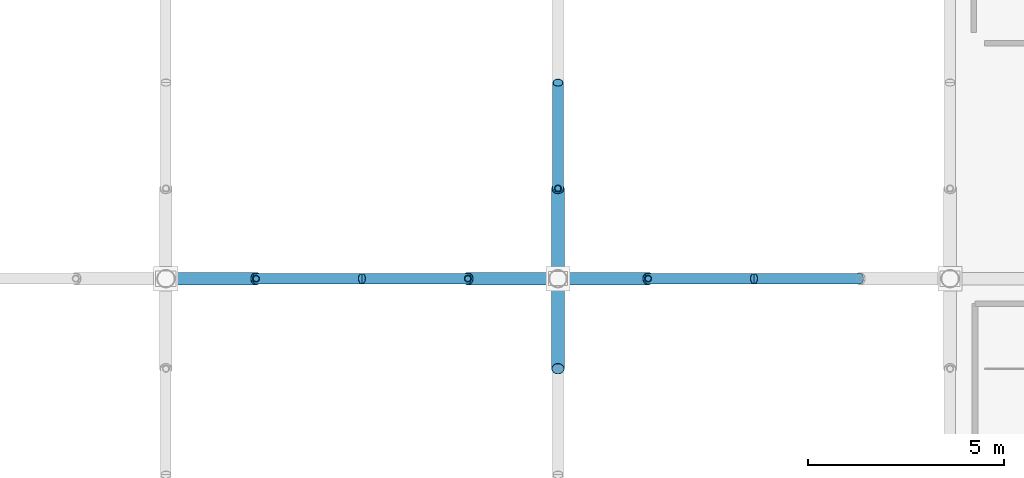
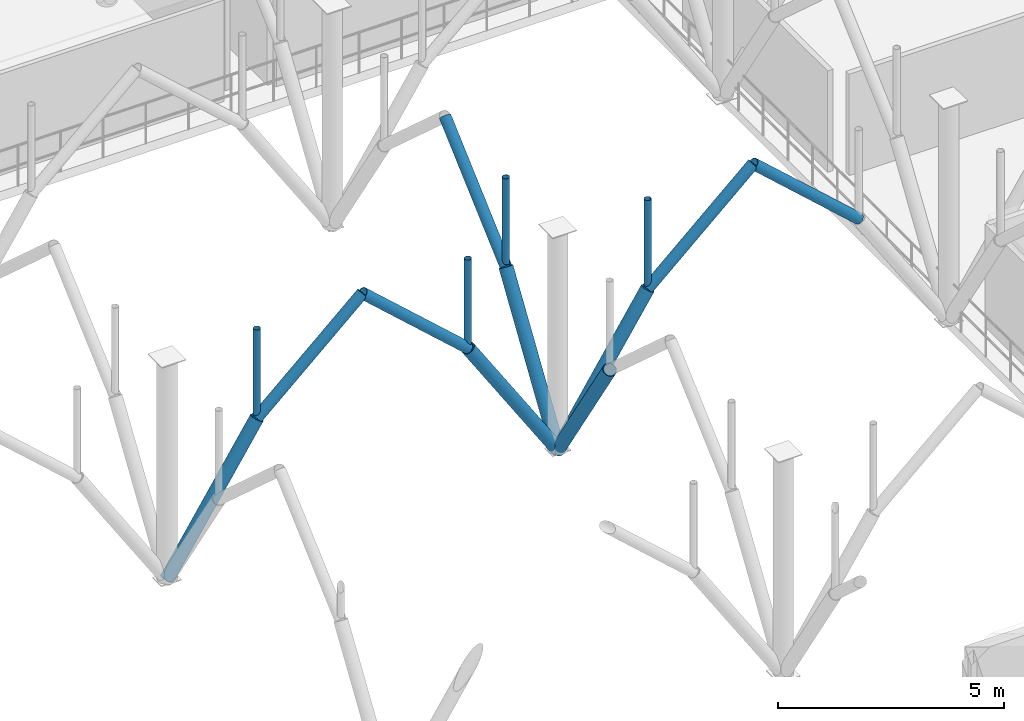
# One storey, part 71 of 109: 14 members.
"""IFC4 building model written with IfcOpenShell, lengths in metres."""

import ifcopenshell
import ifcopenshell.guid

model = None  # the IFC model being written
_history = None  # IfcOwnerHistory: only IFC2X3 demands one
_inside = {}  # id of a spatial element -> (the spatial element, [elements in it])
_under = {}  # id of a project, library or spatial element -> (it, [spatial elements below it])
_declared = {}  # id of a project -> (the project, [libraries it declares])
_typed = {}  # id of a type object -> (the type object, [elements of that type])
_made_of = {}  # id of a material, layer set ... -> (it, [elements and type objects made of it])


def new_model(schema):
    """Start an empty IFC model of exactly this schema.

    Asked for "IFC4X3", IfcOpenShell would pick the latest addendum, in which some entities
    have other attributes; the version numbers below select the first issue.
    IFC2X3 requires an IfcOwnerHistory on every rooted entity: one is made here for all.
    """
    global model, _history
    if schema == "IFC4X3":
        model = ifcopenshell.file(schema_version=(4, 3, 0, 0))
    else:
        model = ifcopenshell.file(schema=schema)
    _inside.clear()
    _under.clear()
    _declared.clear()
    _typed.clear()
    _made_of.clear()
    _history = None
    if model.schema == "IFC2X3":
        org = make("IfcOrganization", Name="unknown")
        user = make(
            "IfcPersonAndOrganization",
            ThePerson=make("IfcPerson", FamilyName="unknown"),
            TheOrganization=org,
        )
        app = make(
            "IfcApplication",
            ApplicationDeveloper=org,
            Version="unknown",
            ApplicationFullName="unknown",
            ApplicationIdentifier="unknown",
        )
        _history = make(
            "IfcOwnerHistory",
            OwningUser=user,
            OwningApplication=app,
            ChangeAction="ADDED",
            CreationDate=0,
        )
    return model


def make(cls, **values):
    """One entity of the class cls with the attributes given. An attribute that is None is left unset."""
    return model.create_entity(
        cls, **{name: value for name, value in values.items() if value is not None}
    )


def rooted(cls, **values):
    """An entity with a GlobalId (a new one), such as an element, a storey or a relation."""
    return make(cls, GlobalId=ifcopenshell.guid.new(), OwnerHistory=_history, **values)


def si_unit(unit_type, name, prefix=None):
    """IfcSIUnit, for example si_unit("LENGTHUNIT", "METRE", prefix="MILLI")."""
    return make("IfcSIUnit", UnitType=unit_type, Prefix=prefix, Name=name)


def derived_unit(unit_type, elements):
    """IfcDerivedUnit: a product of units, each with its exponent."""
    return make(
        "IfcDerivedUnit",
        Elements=[
            make("IfcDerivedUnitElement", Unit=unit, Exponent=power)
            for unit, power in elements
        ],
        UnitType=unit_type,
    )


def assignment(units):
    """IfcUnitAssignment: the units of a project."""
    return None if units is None else make("IfcUnitAssignment", Units=units)


def point(xyz):
    """IfcCartesianPoint."""
    return None if xyz is None else make("IfcCartesianPoint", Coordinates=xyz)


def direction(xyz):
    """IfcDirection."""
    return None if xyz is None else make("IfcDirection", DirectionRatios=xyz)


def frame(location, z_axis=None, x_axis=None):
    """IfcAxis2Placement3D, a coordinate frame: its origin and axes. An axis left out is left unset."""
    return make(
        "IfcAxis2Placement3D",
        Location=point(location),
        Axis=direction(z_axis),
        RefDirection=direction(x_axis),
    )


def frame_2d(location, x_axis=None):
    """IfcAxis2Placement2D, a coordinate frame in the plane: its origin and x axis."""
    return make(
        "IfcAxis2Placement2D", Location=point(location), RefDirection=direction(x_axis)
    )


def origin():
    """The frame at (0, 0, 0) with its axes left unset."""
    return frame((0.0, 0.0, 0.0))


def origin_2d_with_axis():
    """The frame at (0, 0) in the plane with the x axis (1, 0) written out."""
    return frame_2d((0.0, 0.0), x_axis=(1.0, 0.0))


def place(relative_to, where):
    """IfcLocalPlacement: puts the frame where relative to a parent placement (None: the world)."""
    return make(
        "IfcLocalPlacement", PlacementRelTo=relative_to, RelativePlacement=where
    )


def context(
    kind, dimensions, precision=None, world=None, true_north=None, identifier=None
):
    """IfcGeometricRepresentationContext, for example the 3D "Model" context."""
    return make(
        "IfcGeometricRepresentationContext",
        ContextIdentifier=identifier,
        ContextType=kind,
        CoordinateSpaceDimension=dimensions,
        Precision=precision,
        WorldCoordinateSystem=world,
        TrueNorth=true_north,
    )


def subcontext(parent, identifier, kind, view, scale=None):
    """IfcGeometricRepresentationSubContext, for example "Body" below "Model"."""
    return make(
        "IfcGeometricRepresentationSubContext",
        ContextIdentifier=identifier,
        ContextType=kind,
        ParentContext=parent,
        TargetScale=scale,
        TargetView=view,
    )


def project(units=None, contexts=None):
    """IfcProject with its units and contexts."""
    return rooted(
        "IfcProject",
        Name="project",
        RepresentationContexts=contexts,
        UnitsInContext=assignment(units),
    )


def spatial(cls, under=None, at=None, **own):
    """A site, building, storey or space (cls), placed at a placement, below another one or the project."""
    s = rooted(cls, ObjectPlacement=at, **own)
    if under is not None:
        _under.setdefault(under.id(), (under, []))[1].append(s)
    return s


def profile(cls, at=None, kind="AREA", **sizes):
    """A parametric profile (cls). Its sizes go by their IFC names, for example OverallWidth=200.0."""
    return make(cls, ProfileType=kind, Position=at, **sizes)


def hollow_circle(**sizes):
    """IfcCircleHollowProfileDef."""
    return profile("IfcCircleHollowProfileDef", **sizes)


def extrude(swept, where, along, depth):
    """IfcExtrudedAreaSolid: the profile swept, set in the frame where, extruded along a direction by depth."""
    return make(
        "IfcExtrudedAreaSolid",
        SweptArea=swept,
        Position=where,
        ExtrudedDirection=direction(along),
        Depth=depth,
    )


def shape(context_of_items, identifier, shape_type, items):
    """IfcShapeRepresentation: the items that make up one representation, for example the "Body"."""
    return make(
        "IfcShapeRepresentation",
        ContextOfItems=context_of_items,
        RepresentationIdentifier=identifier,
        RepresentationType=shape_type,
        Items=items,
    )


def material(Name=None, Category=None):
    """IfcMaterial."""
    return make("IfcMaterial", Name=Name, Category=Category)


def material_profile(
    of_material, cross_section, Name=None, Category=None, Priority=None
):
    """IfcMaterialProfile: a cross section and its material."""
    return make(
        "IfcMaterialProfile",
        Name=Name,
        Material=of_material,
        Profile=cross_section,
        Priority=Priority,
        Category=Category,
    )


def profile_set(profiles, Name=None, composite=None):
    """IfcMaterialProfileSet."""
    return make(
        "IfcMaterialProfileSet",
        Name=Name,
        MaterialProfiles=profiles,
        CompositeProfile=composite,
    )


def made_of(thing, what):
    """Note that an element or type object is made of a material, layer set ...; save() writes the relation."""
    if what is not None:
        _made_of.setdefault(what.id(), (what, []))[1].append(thing)
    return thing


def type_object(cls, material=None, **own):
    """A type object (cls), such as IfcWallType, which elements share."""
    return made_of(rooted(cls, **own), material)


def element(
    cls,
    number,
    at=None,
    inside=None,
    cuts=None,
    type_object=None,
    material=None,
    context=None,
    identifier="Body",
    shape_type=None,
    held_by="IfcProductDefinitionShape",
    body=None,
    shapes=None,
    **own,
):
    """One element of the class cls, such as IfcWall. Its Tag is "e" and its number.

    at: its placement. inside: the storey or other place that contains it. cuts: it is an
    opening in that element (IfcRelVoidsElement). A single representation is given by context,
    identifier, shape_type and body (its items); several are given by shapes. held_by: the class
    of the entity that holds the representations. save() writes the other relations.
    """
    e = rooted(cls, Tag="e%d" % number, ObjectPlacement=at, **own)
    if body is not None:
        shapes = [shape(context, identifier, shape_type, body)]
    if shapes is not None:
        e.Representation = make(held_by, Representations=shapes)
    if inside is not None:
        _inside.setdefault(inside.id(), (inside, []))[1].append(e)
    if cuts is not None:
        rooted(
            "IfcRelVoidsElement", RelatingBuildingElement=cuts, RelatedOpeningElement=e
        )
    if type_object is not None:
        _typed.setdefault(type_object.id(), (type_object, []))[1].append(e)
    return made_of(e, material)


def aggregate(whole, parts):
    """IfcRelAggregates: a whole, such as a stair, and the parts it consists of."""
    return rooted("IfcRelAggregates", RelatingObject=whole, RelatedObjects=parts)


def save(model, path):
    """Write the relations noted so far, then the file.

    IfcRelAggregates (storeys below a building ...), IfcRelContainedInSpatialStructure (elements
    in a storey), IfcRelDefinesByType, IfcRelAssociatesMaterial and IfcRelDeclares: one each for
    every whole, place, type object, material and project.
    """
    for whole, parts in _under.values():
        aggregate(whole, parts)
    for where, things in _inside.values():
        rooted(
            "IfcRelContainedInSpatialStructure",
            RelatedElements=things,
            RelatingStructure=where,
        )
    for kind, things in _typed.values():
        rooted("IfcRelDefinesByType", RelatedObjects=things, RelatingType=kind)
    for what, things in _made_of.values():
        rooted("IfcRelAssociatesMaterial", RelatedObjects=things, RelatingMaterial=what)
    for by, libraries in _declared.values():
        rooted("IfcRelDeclares", RelatingContext=by, RelatedDefinitions=libraries)
    model.write(path)


model = new_model("IFC4")

# Units and contexts
model_context = context("Model", 3, precision=1e-05, world=origin(), true_north=direction((0.0, 1.0)))
body_context = subcontext(model_context, "Body", "Model", "MODEL_VIEW")
ifc_project = project(units=[si_unit("LENGTHUNIT", "METRE"), si_unit("AREAUNIT", "SQUARE_METRE"), si_unit("VOLUMEUNIT", "CUBIC_METRE"), si_unit("PLANEANGLEUNIT", "RADIAN"), si_unit("MASSUNIT", "GRAM", prefix="KILO"), derived_unit("THERMALTRANSMITTANCEUNIT", [(si_unit("POWERUNIT", "WATT"), 1), (si_unit("LENGTHUNIT", "METRE"), -2), (si_unit("THERMODYNAMICTEMPERATUREUNIT", "KELVIN"), -1)])], contexts=[model_context])

# Site, building, storey
site_placement = place(None, origin())
site = spatial("IfcSite", under=ifc_project, at=site_placement, CompositionType="ELEMENT")
building_placement = place(site_placement, origin())
building = spatial("IfcBuilding", under=site, at=building_placement, Name="Cinnabar Yard Market Hall", CompositionType="ELEMENT")
storey_placement = place(building_placement, frame((0.0, 0.0, 8.39990234375)))
storey = spatial("IfcBuildingStorey", under=building, at=storey_placement, Name="L02", CompositionType="ELEMENT", Elevation=8.39990234375)

# Members
ifc_material_1 = material(Name="Spotted-gum glulam-clad steel Grade 350 (350 MPa)", Category="steel")
ifc_material_profile_1 = material_profile(ifc_material_1, hollow_circle(Radius=0.136474609375, WallThickness=0.00927734375, at=origin_2d_with_axis()), Name="273.1x9.3CHS")
ifc_profile_set_1 = profile_set([ifc_material_profile_1], Name="Spotted-gum glulam-clad steel Grade 350 (350 MPa)")
member_type_1 = type_object("IfcMemberType", Name="MB-AR01", PredefinedType="USERDEFINED", material=ifc_profile_set_1)
for number, where, z_axis, x_axis, name in (
    (1, (128.300048828125, 44.0, 3.550048828125), (0.743297488271, 0.0, 0.668961018244), (0.0, 1.0, 0.0), "Pointed Arch Rib 0089"),
    (2, (138.300048828125, 44.0, 3.550048828125), (0.743297488271, 0.0, 0.668961018244), (0.0, 1.0, 0.0), "Pointed Arch Rib 0106"),
    (3, (133.699951171875, 44.0, 3.550048828125), (-0.743297488271, 0.0, 0.668961018244), (0.0, -1.0, 0.0), "Pointed Arch Rib 0107"),
    (4, (136.0, 46.300048828125, 3.550048828125), (0.0, 0.743297488271, 0.668961018244), (-1.0, 0.0, 0.0), "Pointed Arch Rib 0108"),
    (5, (143.699951171875, 44.0, 3.550048828125), (-0.743297488271, 0.0, 0.668961018244), (0.0, -1.0, 0.0), "Pointed Arch Rib 0123"),
):
    element("IfcMember", number, at=place(storey_placement, frame(where, z_axis=z_axis, x_axis=x_axis)), inside=storey, type_object=member_type_1, Name=name, ObjectType="ARCH RIB", PredefinedType="USERDEFINED", context=body_context, shape_type="SweptSolid", body=[
        extrude(hollow_circle(Radius=0.136474609375, WallThickness=0.00927734375, at=origin_2d_with_axis()), origin(), (0.0, 0.0, 1.0), 3.63232421875),
    ])
ifc_material_profile_2 = material_profile(ifc_material_1, hollow_circle(Radius=0.161865234375, WallThickness=0.009521484375, at=origin_2d_with_axis()), Name="323.9x9.5CHS")
ifc_profile_set_2 = profile_set([ifc_material_profile_2], Name="Spotted-gum glulam-clad steel Grade 350 (350 MPa)")
member_type_2 = type_object("IfcMemberType", Name="MB-ST01", PredefinedType="STRUT", material=ifc_profile_set_2)
for number, where, z_axis, x_axis, name in (
    (6, (126.0, 44.0, 0.0), (0.543744165176, 0.0, 0.839251024925), (0.0, 1.0, 0.0), "Curved Branch Arm Lower 0089"),
    (7, (136.0, 44.0, 0.0), (0.543744165176, 0.0, 0.839251024925), (0.0, 1.0, 0.0), "Curved Branch Arm Lower 0106"),
    (8, (136.0, 44.0, 0.0), (-0.543744165176, 0.0, 0.839251024925), (0.0, -1.0, 0.0), "Curved Branch Arm Lower 0107"),
    (9, (136.0, 44.0, 0.0), (0.0, 0.543744165176, 0.839251024925), (-1.0, 0.0, 0.0), "Curved Branch Arm Lower 0108"),
    (10, (136.0, 44.0, 0.0), (0.0, -0.543744165176, 0.839251024925), (1.0, 0.0, 0.0), "Curved Branch Arm Lower 0109"),
):
    element("IfcMember", number, at=place(storey_placement, frame(where, z_axis=z_axis, x_axis=x_axis)), inside=storey, type_object=member_type_2, Name=name, PredefinedType="STRUT", context=body_context, shape_type="SweptSolid", body=[
        extrude(hollow_circle(Radius=0.161865234375, WallThickness=0.009521484375, at=origin_2d_with_axis()), origin(), (0.0, 0.0, 1.0), 4.22998046875),
    ])
ifc_material_2 = material(Name="Cold-formed steel C350L0", Category="steel")
ifc_material_profile_3 = material_profile(ifc_material_2, hollow_circle(Radius=0.084228515625, WallThickness=0.00634765625, at=origin_2d_with_axis()), Name="168.3x6.4CHS")
ifc_profile_set_3 = profile_set([ifc_material_profile_3], Name="Cold-formed steel C350L0")
member_type_3 = type_object("IfcMemberType", Name="MB-WB01", PredefinedType="STRUT", material=ifc_profile_set_3)
for number, where, z_axis, x_axis, name in (
    (11, (128.300048828125, 44.0, 3.550048828125), (0.0, 0.0, 1.0), (1.0, 0.0, 0.0), "Arch Spandrel Post 0089"),
    (12, (138.300048828125, 44.0, 3.550048828125), (0.0, 0.0, 1.0), (1.0, 0.0, 0.0), "Arch Spandrel Post 0106"),
    (13, (133.699951171875, 44.0, 3.550048828125), (0.0, 0.0, 1.0), (1.0, 0.0, 0.0), "Arch Spandrel Post 0107"),
    (14, (136.0, 46.300048828125, 3.550048828125), (0.0, 0.0, 1.0), (1.0, 0.0, 0.0), "Arch Spandrel Post 0108"),
):
    element("IfcMember", number, at=place(storey_placement, frame(where, z_axis=z_axis, x_axis=x_axis)), inside=storey, type_object=member_type_3, Name=name, PredefinedType="STRUT", context=body_context, shape_type="SweptSolid", body=[
        extrude(hollow_circle(Radius=0.084228515625, WallThickness=0.00634765625, at=origin_2d_with_axis()), origin(), (0.0, 0.0, 1.0), 2.429931640625),
    ])

save(model, "model.ifc")
